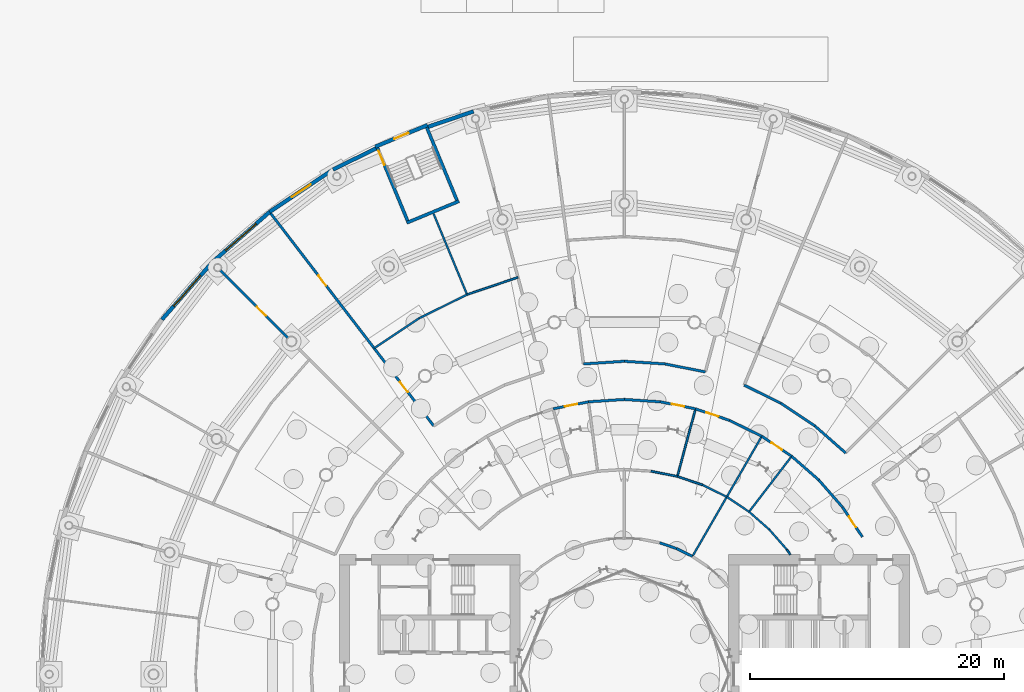
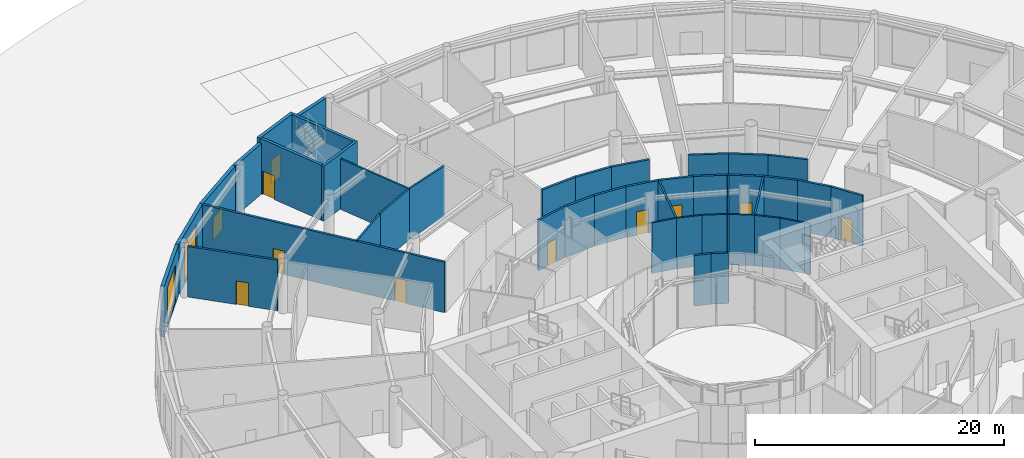
# One storey, part 25 of 41: 43 walls, 11 doors, 2 windows, 13 openings.
"""IFC4 building model written with IfcOpenShell, lengths in metres."""

from ifc_helpers import new_model, si_unit, direction, frame, frame_2d, origin, place, context, subcontext, project, spatial, rectangle, extrude, material, layer, layer_set, type_object, element, fill, save


model = new_model("IFC4")

# Units and contexts
model_context = context("Model", 3, precision=1e-05, world=origin(), true_north=direction((0.0, 1.0)))
body_context = subcontext(model_context, "Body", "Model", "MODEL_VIEW")
ifc_project = project(units=[si_unit("LENGTHUNIT", "METRE"), si_unit("AREAUNIT", "SQUARE_METRE"), si_unit("VOLUMEUNIT", "CUBIC_METRE"), si_unit("PLANEANGLEUNIT", "RADIAN"), si_unit("MASSUNIT", "GRAM", prefix="KILO")], contexts=[model_context])

# Site, building, storey
site_placement = place(None, origin())
site = spatial("IfcSite", under=ifc_project, at=site_placement, CompositionType="ELEMENT")
building_placement = place(site_placement, origin())
building = spatial("IfcBuilding", under=site, at=building_placement, Name="Maasbend Ring Residences", CompositionType="ELEMENT")
storey_placement = place(building_placement, origin())
storey = spatial("IfcBuildingStorey", under=building, at=storey_placement, Name="L00", CompositionType="ELEMENT", Elevation=0.0)

# Wall, opening, door
ifc_material_1 = material(Name="Concrete C70/85", Category="concrete")
ifc_layer_1 = layer(ifc_material_1, 0.25)
ifc_layer_set_1 = layer_set([ifc_layer_1], Name="Concrete C70/85")
wall_type_1 = type_object("IfcWallType", Name="CORE WALL 250 C70/85", PredefinedType="SHEAR", material=ifc_layer_set_1)
wall_1_placement = place(storey_placement, frame((-19.40966796875, 41.37158203125, 0.0), z_axis=(0.0, 0.0, 1.0), x_axis=(0.382666023753, -0.923886743203, 0.0)))
wall_1 = element("IfcWall", 1, at=wall_1_placement, inside=storey, type_object=wall_type_1, Name="L00 ST-P1 enclosure wall WS+", PredefinedType="SHEAR", context=body_context, shape_type="SweptSolid", body=[
    extrude(rectangle(XDim=6.4501953125, YDim=0.25, at=frame_2d((3.22509765625, 0.0))), origin(), (0.0, 0.0, 1.0), 5.39990234375),
])
opening_1_placement = place(wall_1_placement, frame((0.25, 0.0, 0.0)))
opening_1 = element("IfcOpeningElement", 2, at=opening_1_placement, cuts=wall_1, Name="Opening D-P100S", PredefinedType="OPENING", context=body_context, shape_type="SweptSolid", body=[
    extrude(rectangle(XDim=1.199951171875, YDim=2.300048828125, at=frame_2d((0.60009765625, 1.14990234375))), frame((0.0, 0.135009765625, 0.0), z_axis=(0.0, -1.0, 0.0), x_axis=(1.0, 0.0, 0.0)), (0.0, 0.0, 1.0), 0.27001953125),
])
ifc_material_2 = material(Name="Steel, powder coated", Category="steel")
door_type_1 = type_object("IfcDoorType", Name="STAIR DOOR 1200 X 2300 FD60", OperationType="NOTDEFINED", PredefinedType="DOOR", material=ifc_material_2)
door_1_placement = place(opening_1_placement, origin())
door_1 = element("IfcDoor", 3, at=door_1_placement, inside=storey, type_object=door_type_1, Name="Stair door ST-P1 L00", OperationType="SINGLE_SWING_RIGHT", OverallHeight=2.300048828125, OverallWidth=1.199951171875, PredefinedType="DOOR", context=body_context, shape_type="SweptSolid", body=[
    extrude(rectangle(XDim=1.199951171875, YDim=2.300048828125, at=frame_2d((0.60009765625, 1.14990234375))), frame((0.0, 0.02490234375, 0.0), z_axis=(0.0, -1.0, 0.0), x_axis=(1.0, 0.0, 0.0)), (0.0, 0.0, 1.0), 0.050048828125),
])
fill(opening_1, door_1)

# Walls
wall_2_placement = place(storey_placement, frame((-13.06103515625, 37.019775390625, 0.0), z_axis=(0.0, 0.0, 1.0), x_axis=(-0.38267940576, 0.923881200375, 0.0)))
element("IfcWall", 4, at=wall_2_placement, inside=storey, type_object=wall_type_1, Name="L00 ST-P1 enclosure wall WS-", PredefinedType="SHEAR", context=body_context, shape_type="SweptSolid", body=[
    extrude(rectangle(XDim=6.449951171875, YDim=0.25, at=frame_2d((3.22509765625, 0.0))), origin(), (0.0, 0.0, 1.0), 5.39990234375),
])
wall_3_placement = place(storey_placement, frame((-12.993408203125, 37.18310546875, 0.0), z_axis=(0.0, 0.0, 1.0), x_axis=(-0.923867048273, -0.382713570591, 0.0)))
element("IfcWall", 5, at=wall_3_placement, inside=storey, type_object=wall_type_1, Name="L00 ST-P1 enclosure wall WIN", PredefinedType="SHEAR", context=body_context, shape_type="SweptSolid", body=[
    extrude(rectangle(XDim=4.4501953125, YDim=0.25, at=frame_2d((2.22509765625, 0.0))), origin(), (0.0, 0.0, 1.0), 5.39990234375),
])

# Wall, opening, door
ifc_material_3 = material(Name="Concrete C70/85", Category="concrete")
ifc_layer_2 = layer(ifc_material_3, 0.300048828125)
ifc_layer_set_2 = layer_set([ifc_layer_2], Name="Concrete C70/85")
wall_type_2 = type_object("IfcWallType", Name="CORE WALL 300 C70/85", PredefinedType="SHEAR", material=ifc_layer_set_2)
wall_4_placement = place(storey_placement, frame((-19.58251953125, 41.462158203125, 0.0), z_axis=(0.0, 0.0, 1.0), x_axis=(0.923886445216, 0.382666743194, 0.0)))
wall_4 = element("IfcWall", 6, at=wall_4_placement, inside=storey, type_object=wall_type_2, Name="L00 ST-P1 enclosure wall WOUT", PredefinedType="SHEAR", context=body_context, shape_type="SweptSolid", body=[
    extrude(rectangle(XDim=4.449951171875, YDim=0.300048828125, at=frame_2d((2.22509765625, 0.0))), origin(), (0.0, 0.0, 1.0), 5.39990234375),
])
opening_2_placement = place(wall_4_placement, frame((1.625, 0.0, 0.0)))
opening_2 = element("IfcOpeningElement", 7, at=opening_2_placement, cuts=wall_4, Name="Opening D-P100O", PredefinedType="OPENING", context=body_context, shape_type="SweptSolid", body=[
    extrude(rectangle(XDim=1.199951171875, YDim=2.300048828125, at=frame_2d((0.60009765625, 1.14990234375))), frame((0.0, 0.16015625, 0.0), z_axis=(0.0, -1.0, 0.0), x_axis=(1.0, 0.0, 0.0)), (0.0, 0.0, 1.0), 0.320068359375),
])
door_2_placement = place(opening_2_placement, origin())
door_2 = element("IfcDoor", 8, at=door_2_placement, inside=storey, type_object=door_type_1, Name="Stair door ST-P1 L00", OperationType="SINGLE_SWING_LEFT", OverallHeight=2.300048828125, OverallWidth=1.199951171875, PredefinedType="DOOR", context=body_context, shape_type="SweptSolid", body=[
    extrude(rectangle(XDim=1.199951171875, YDim=2.300048828125, at=frame_2d((0.60009765625, 1.14990234375))), frame((0.0, 0.02490234375, 0.0), z_axis=(0.0, -1.0, 0.0), x_axis=(1.0, 0.0, 0.0)), (0.0, 0.0, 1.0), 0.050048828125),
])
fill(opening_2, door_2)

ifc_material_4 = material(Name="Concrete C30/37", Category="concrete")
ifc_layer_3 = layer(ifc_material_4, 0.199951171875)
ifc_layer_set_3 = layer_set([ifc_layer_3], Name="Concrete C30/37")
wall_type_3 = type_object("IfcWallType", Name="CORRIDOR WALL 200 CONCRETE", PredefinedType="PARTITIONING", material=ifc_layer_set_3)
wall_5_placement = place(storey_placement, frame((-31.74609375, 31.74609375, 0.0), z_axis=(0.0, 0.0, 1.0), x_axis=(0.707106781187, -0.707106781187, 0.0)))
wall_5 = element("IfcWall", 9, at=wall_5_placement, inside=storey, type_object=wall_type_3, Name="U-L00-w090", PredefinedType="PARTITIONING", context=body_context, shape_type="SweptSolid", body=[
    extrude(rectangle(XDim=7.489990234375, YDim=0.199951171875, at=frame_2d((3.7451171875, 0.0))), origin(), (0.0, 0.0, 1.0), 4.949951171875),
])
opening_3_placement = place(wall_5_placement, frame((4.044921875, 0.0, 0.0)))
opening_3 = element("IfcOpeningElement", 10, at=opening_3_placement, cuts=wall_5, Name="Opening D-0030", PredefinedType="OPENING", context=body_context, shape_type="SweptSolid", body=[
    extrude(rectangle(XDim=1.0, YDim=2.300048828125, at=frame_2d((0.5, 1.14990234375))), frame((0.0, 0.10986328125, 0.0), z_axis=(0.0, -1.0, 0.0), x_axis=(1.0, 0.0, 0.0)), (0.0, 0.0, 1.0), 0.219970703125),
])
ifc_material_5 = material(Name="Timber, painted", Category="wood")
door_type_2 = type_object("IfcDoorType", Name="ROOM DOOR 1000 X 2300", OperationType="NOTDEFINED", PredefinedType="DOOR", material=ifc_material_5)
door_3_placement = place(opening_3_placement, origin())
door_3 = element("IfcDoor", 11, at=door_3_placement, inside=storey, type_object=door_type_2, Name="D-0030", OperationType="SINGLE_SWING_RIGHT", OverallHeight=2.300048828125, OverallWidth=1.0, PredefinedType="DOOR", context=body_context, shape_type="SweptSolid", body=[
    extrude(rectangle(XDim=1.0, YDim=2.300048828125, at=frame_2d((0.5, 1.14990234375))), frame((0.0, 0.02490234375, 0.0), z_axis=(0.0, -1.0, 0.0), x_axis=(1.0, 0.0, 0.0)), (0.0, 0.0, 1.0), 0.050048828125),
])
fill(opening_3, door_3)

# Wall, openings, doors
wall_6_placement = place(storey_placement, frame((-27.81298828125, 36.2470703125, 0.0), z_axis=(0.0, 0.0, 1.0), x_axis=(0.608725588574, -0.793380840338, 0.0)))
wall_6 = element("IfcWall", 12, at=wall_6_placement, inside=storey, type_object=wall_type_3, Name="U-L00-w092", PredefinedType="PARTITIONING", context=body_context, shape_type="SweptSolid", body=[
    extrude(rectangle(XDim=21.088134765625, YDim=0.199951171875, at=frame_2d((10.5439453125, 0.0))), origin(), (0.0, 0.0, 1.0), 4.949951171875),
])
opening_4_placement = place(wall_6_placement, frame((16.738037109375, 0.0, 0.0)))
opening_4 = element("IfcOpeningElement", 13, at=opening_4_placement, cuts=wall_6, Name="Opening D-0026", PredefinedType="OPENING", context=body_context, shape_type="SweptSolid", body=[
    extrude(rectangle(XDim=1.0, YDim=2.300048828125, at=frame_2d((0.5, 1.14990234375))), frame((0.0, 0.10986328125, 0.0), z_axis=(0.0, -1.0, 0.0), x_axis=(1.0, 0.0, 0.0)), (0.0, 0.0, 1.0), 0.219970703125),
])
opening_5_placement = place(wall_6_placement, frame((6.194091796875, 0.0, 0.0)))
opening_5 = element("IfcOpeningElement", 14, at=opening_5_placement, cuts=wall_6, Name="Opening D-0028", PredefinedType="OPENING", context=body_context, shape_type="SweptSolid", body=[
    extrude(rectangle(XDim=1.0, YDim=2.300048828125, at=frame_2d((0.5, 1.14990234375))), frame((0.0, 0.10986328125, 0.0), z_axis=(0.0, -1.0, 0.0), x_axis=(1.0, 0.0, 0.0)), (0.0, 0.0, 1.0), 0.219970703125),
])
door_4_placement = place(opening_4_placement, origin())
door_4 = element("IfcDoor", 15, at=door_4_placement, inside=storey, type_object=door_type_2, Name="D-0026", OperationType="SINGLE_SWING_RIGHT", OverallHeight=2.300048828125, OverallWidth=1.0, PredefinedType="DOOR", context=body_context, shape_type="SweptSolid", body=[
    extrude(rectangle(XDim=1.0, YDim=2.300048828125, at=frame_2d((0.5, 1.14990234375))), frame((0.0, 0.02490234375, 0.0), z_axis=(0.0, -1.0, 0.0), x_axis=(1.0, 0.0, 0.0)), (0.0, 0.0, 1.0), 0.050048828125),
])
fill(opening_4, door_4)
door_5_placement = place(opening_5_placement, origin())
door_5 = element("IfcDoor", 16, at=door_5_placement, inside=storey, type_object=door_type_2, Name="D-0028", OperationType="SINGLE_SWING_LEFT", OverallHeight=2.300048828125, OverallWidth=1.0, PredefinedType="DOOR", context=body_context, shape_type="SweptSolid", body=[
    extrude(rectangle(XDim=1.0, YDim=2.300048828125, at=frame_2d((0.5, 1.14990234375))), frame((0.0, 0.02490234375, 0.0), z_axis=(0.0, -1.0, 0.0), x_axis=(1.0, 0.0, 0.0)), (0.0, 0.0, 1.0), 0.050048828125),
])
fill(opening_5, door_5)

# Walls
for number, where, z_axis, x_axis, name in (
    (17, (2.76904296875, 10.3349609375, 0.0), (0.0, 0.0, 1.0), (0.947172777338, -0.320723759441, 0.0), "U-L00-w143"),
    (18, (4.094970703125, 9.885986328125, 0.0), (0.0, 0.0, 1.0), (0.896613890545, -0.442813201341, 0.0), "U-L00-w144"),
):
    element("IfcWall", number, at=place(storey_placement, frame(where, z_axis=z_axis, x_axis=x_axis)), inside=storey, type_object=wall_type_3, Name=name, PredefinedType="PARTITIONING", context=body_context, shape_type="SweptSolid", body=[
        extrude(rectangle(XDim=1.39990234375, YDim=0.199951171875, at=frame_2d((0.699951171875, 0.0))), origin(), (0.0, 0.0, 1.0), 4.949951171875),
    ])

# Wall, opening, door
wall_7_placement = place(storey_placement, frame((-5.590087890625, 20.864013671875, 0.0), z_axis=(0.0, 0.0, 1.0), x_axis=(0.980796115138, 0.195035844217, 0.0)))
wall_7 = element("IfcWall", 19, at=wall_7_placement, inside=storey, type_object=wall_type_3, Name="U-L00-w168", PredefinedType="PARTITIONING", context=body_context, shape_type="SweptSolid", body=[
    extrude(rectangle(XDim=2.8251953125, YDim=0.199951171875, at=frame_2d((1.41259765625, 0.0))), origin(), (0.0, 0.0, 1.0), 4.949951171875),
])
opening_6_placement = place(wall_7_placement, frame((0.9130859375, 0.0, 0.0)))
opening_6 = element("IfcOpeningElement", 20, at=opening_6_placement, cuts=wall_7, Name="Opening D-0011", PredefinedType="OPENING", context=body_context, shape_type="SweptSolid", body=[
    extrude(rectangle(XDim=1.0, YDim=2.300048828125, at=frame_2d((0.5, 1.14990234375))), frame((0.0, 0.10986328125, 0.0), z_axis=(0.0, -1.0, 0.0), x_axis=(1.0, 0.0, 0.0)), (0.0, 0.0, 1.0), 0.219970703125),
])
door_6_placement = place(opening_6_placement, origin())
door_6 = element("IfcDoor", 21, at=door_6_placement, inside=storey, type_object=door_type_2, Name="D-0011", OperationType="SINGLE_SWING_RIGHT", OverallHeight=2.300048828125, OverallWidth=1.0, PredefinedType="DOOR", context=body_context, shape_type="SweptSolid", body=[
    extrude(rectangle(XDim=1.0, YDim=2.300048828125, at=frame_2d((0.5, 1.14990234375))), frame((0.0, 0.02490234375, 0.0), z_axis=(0.0, -1.0, 0.0), x_axis=(1.0, 0.0, 0.0)), (0.0, 0.0, 1.0), 0.050048828125),
])
fill(opening_6, door_6)

# Walls
for number, where, z_axis, x_axis, name in (
    (22, (-2.819091796875, 21.4150390625, 0.0), (0.0, 0.0, 1.0), (0.99785232164, 0.065503772391, 0.0), "U-L00-w169"),
    (23, (0.0, 21.60009765625, 0.0), (0.0, 0.0, 1.0), (0.99785232164, -0.065503772391, 0.0), "U-L00-w170"),
):
    element("IfcWall", number, at=place(storey_placement, frame(where, z_axis=z_axis, x_axis=x_axis)), inside=storey, type_object=wall_type_3, Name=name, PredefinedType="PARTITIONING", context=body_context, shape_type="SweptSolid", body=[
        extrude(rectangle(XDim=2.8251953125, YDim=0.199951171875, at=frame_2d((1.41259765625, 0.0))), origin(), (0.0, 0.0, 1.0), 4.949951171875),
    ])

# Wall, opening, door
wall_8_placement = place(storey_placement, frame((2.819091796875, 21.4150390625, 0.0), z_axis=(0.0, 0.0, 1.0), x_axis=(0.980796115138, -0.195035844217, 0.0)))
wall_8 = element("IfcWall", 24, at=wall_8_placement, inside=storey, type_object=wall_type_3, Name="U-L00-w171", PredefinedType="PARTITIONING", context=body_context, shape_type="SweptSolid", body=[
    extrude(rectangle(XDim=2.8251953125, YDim=0.199951171875, at=frame_2d((1.41259765625, 0.0))), origin(), (0.0, 0.0, 1.0), 4.949951171875),
])
opening_7_placement = place(wall_8_placement, frame((0.9130859375, 0.0, 0.0)))
opening_7 = element("IfcOpeningElement", 25, at=opening_7_placement, cuts=wall_8, Name="Opening D-0010", PredefinedType="OPENING", context=body_context, shape_type="SweptSolid", body=[
    extrude(rectangle(XDim=1.0, YDim=2.300048828125, at=frame_2d((0.5, 1.14990234375))), frame((0.0, 0.10986328125, 0.0), z_axis=(0.0, -1.0, 0.0), x_axis=(1.0, 0.0, 0.0)), (0.0, 0.0, 1.0), 0.219970703125),
])
door_7_placement = place(opening_7_placement, origin())
door_7 = element("IfcDoor", 26, at=door_7_placement, inside=storey, type_object=door_type_2, Name="D-0010", OperationType="SINGLE_SWING_LEFT", OverallHeight=2.300048828125, OverallWidth=1.0, PredefinedType="DOOR", context=body_context, shape_type="SweptSolid", body=[
    extrude(rectangle(XDim=1.0, YDim=2.300048828125, at=frame_2d((0.5, 1.14990234375))), frame((0.0, 0.02490234375, 0.0), z_axis=(0.0, -1.0, 0.0), x_axis=(1.0, 0.0, 0.0)), (0.0, 0.0, 1.0), 0.050048828125),
])
fill(opening_7, door_7)

wall_9_placement = place(storey_placement, frame((5.590087890625, 20.864013671875, 0.0), z_axis=(0.0, 0.0, 1.0), x_axis=(0.946976353269, -0.321303262276, 0.0)))
wall_9 = element("IfcWall", 27, at=wall_9_placement, inside=storey, type_object=wall_type_3, Name="U-L00-w172", PredefinedType="PARTITIONING", context=body_context, shape_type="SweptSolid", body=[
    extrude(rectangle(XDim=2.825927734375, YDim=0.199951171875, at=frame_2d((1.4130859375, 0.0))), origin(), (0.0, 0.0, 1.0), 4.949951171875),
])
opening_8_placement = place(wall_9_placement, frame((0.9130859375, 0.0, 0.0)))
opening_8 = element("IfcOpeningElement", 28, at=opening_8_placement, cuts=wall_9, Name="Opening D-0009", PredefinedType="OPENING", context=body_context, shape_type="SweptSolid", body=[
    extrude(rectangle(XDim=1.0, YDim=2.300048828125, at=frame_2d((0.5, 1.14990234375))), frame((0.0, 0.10986328125, 0.0), z_axis=(0.0, -1.0, 0.0), x_axis=(1.0, 0.0, 0.0)), (0.0, 0.0, 1.0), 0.219970703125),
])
door_8_placement = place(opening_8_placement, origin())
door_8 = element("IfcDoor", 29, at=door_8_placement, inside=storey, type_object=door_type_2, Name="D-0009", OperationType="SINGLE_SWING_LEFT", OverallHeight=2.300048828125, OverallWidth=1.0, PredefinedType="DOOR", context=body_context, shape_type="SweptSolid", body=[
    extrude(rectangle(XDim=1.0, YDim=2.300048828125, at=frame_2d((0.5, 1.14990234375))), frame((0.0, 0.02490234375, 0.0), z_axis=(0.0, -1.0, 0.0), x_axis=(1.0, 0.0, 0.0)), (0.0, 0.0, 1.0), 0.050048828125),
])
fill(opening_8, door_8)

# Wall
wall_10_placement = place(storey_placement, frame((8.26611328125, 19.9560546875, 0.0), z_axis=(0.0, 0.0, 1.0), x_axis=(0.896816398134, -0.442402924988, 0.0)))
element("IfcWall", 30, at=wall_10_placement, inside=storey, type_object=wall_type_3, Name="U-L00-w173", PredefinedType="PARTITIONING", context=body_context, shape_type="SweptSolid", body=[
    extrude(rectangle(XDim=2.825439453125, YDim=0.199951171875, at=frame_2d((1.41259765625, 0.0))), origin(), (0.0, 0.0, 1.0), 4.949951171875),
])

# Wall, opening, door
wall_11_placement = place(storey_placement, frame((10.800048828125, 18.7060546875, 0.0), z_axis=(0.0, 0.0, 1.0), x_axis=(0.831371669473, -0.55571678686, 0.0)))
wall_11 = element("IfcWall", 31, at=wall_11_placement, inside=storey, type_object=wall_type_3, Name="U-L00-w174", PredefinedType="PARTITIONING", context=body_context, shape_type="SweptSolid", body=[
    extrude(rectangle(XDim=2.8251953125, YDim=0.199951171875, at=frame_2d((1.41259765625, 0.0))), origin(), (0.0, 0.0, 1.0), 4.949951171875),
])
opening_9_placement = place(wall_11_placement, frame((0.9130859375, 0.0, 0.0)))
opening_9 = element("IfcOpeningElement", 32, at=opening_9_placement, cuts=wall_11, Name="Opening D-0008", PredefinedType="OPENING", context=body_context, shape_type="SweptSolid", body=[
    extrude(rectangle(XDim=1.0, YDim=2.300048828125, at=frame_2d((0.5, 1.14990234375))), frame((0.0, 0.10986328125, 0.0), z_axis=(0.0, -1.0, 0.0), x_axis=(1.0, 0.0, 0.0)), (0.0, 0.0, 1.0), 0.219970703125),
])
door_9_placement = place(opening_9_placement, origin())
door_9 = element("IfcDoor", 33, at=door_9_placement, inside=storey, type_object=door_type_2, Name="D-0008", OperationType="SINGLE_SWING_LEFT", OverallHeight=2.300048828125, OverallWidth=1.0, PredefinedType="DOOR", context=body_context, shape_type="SweptSolid", body=[
    extrude(rectangle(XDim=1.0, YDim=2.300048828125, at=frame_2d((0.5, 1.14990234375))), frame((0.0, 0.02490234375, 0.0), z_axis=(0.0, -1.0, 0.0), x_axis=(1.0, 0.0, 0.0)), (0.0, 0.0, 1.0), 0.050048828125),
])
fill(opening_9, door_9)

# Walls
for number, where, z_axis, x_axis, name in (
    (34, (13.14892578125, 17.135986328125, 0.0), (0.0, 0.0, 1.0), (0.752105457459, -0.659042776199, 0.0), "U-L00-w175"),
    (35, (15.27392578125, 15.27392578125, 0.0), (0.0, 0.0, 1.0), (0.659042776199, -0.752105457459, 0.0), "U-L00-w176"),
):
    element("IfcWall", number, at=place(storey_placement, frame(where, z_axis=z_axis, x_axis=x_axis)), inside=storey, type_object=wall_type_3, Name=name, PredefinedType="PARTITIONING", context=body_context, shape_type="SweptSolid", body=[
        extrude(rectangle(XDim=2.825439453125, YDim=0.199951171875, at=frame_2d((1.41259765625, 0.0))), origin(), (0.0, 0.0, 1.0), 4.949951171875),
    ])

# Wall, opening, door
wall_12_placement = place(storey_placement, frame((17.135986328125, 13.14892578125, 0.0), z_axis=(0.0, 0.0, 1.0), x_axis=(0.55571678686, -0.831371669473, 0.0)))
wall_12 = element("IfcWall", 36, at=wall_12_placement, inside=storey, type_object=wall_type_3, Name="U-L00-w177", PredefinedType="PARTITIONING", context=body_context, shape_type="SweptSolid", body=[
    extrude(rectangle(XDim=2.8251953125, YDim=0.199951171875, at=frame_2d((1.41259765625, 0.0))), origin(), (0.0, 0.0, 1.0), 4.949951171875),
])
opening_10_placement = place(wall_12_placement, frame((0.9130859375, 0.0, 0.0)))
opening_10 = element("IfcOpeningElement", 37, at=opening_10_placement, cuts=wall_12, Name="Opening D-0007", PredefinedType="OPENING", context=body_context, shape_type="SweptSolid", body=[
    extrude(rectangle(XDim=1.0, YDim=2.300048828125, at=frame_2d((0.5, 1.14990234375))), frame((0.0, 0.10986328125, 0.0), z_axis=(0.0, -1.0, 0.0), x_axis=(1.0, 0.0, 0.0)), (0.0, 0.0, 1.0), 0.219970703125),
])
door_10_placement = place(opening_10_placement, origin())
door_10 = element("IfcDoor", 38, at=door_10_placement, inside=storey, type_object=door_type_2, Name="D-0007", OperationType="SINGLE_SWING_LEFT", OverallHeight=2.300048828125, OverallWidth=1.0, PredefinedType="DOOR", context=body_context, shape_type="SweptSolid", body=[
    extrude(rectangle(XDim=1.0, YDim=2.300048828125, at=frame_2d((0.5, 1.14990234375))), frame((0.0, 0.02490234375, 0.0), z_axis=(0.0, -1.0, 0.0), x_axis=(1.0, 0.0, 0.0)), (0.0, 0.0, 1.0), 0.050048828125),
])
fill(opening_10, door_10)

# Walls
for number, where, z_axis, x_axis, name in (
    (39, (-3.2109375, 24.389892578125, 0.0), (0.0, 0.0, 1.0), (0.997864008616, 0.06532549509, 0.0), "U-L00-w186"),
    (40, (0.0, 24.60009765625, 0.0), (0.0, 0.0, 1.0), (0.997864008616, -0.06532549509, 0.0), "U-L00-w187"),
    (41, (3.2109375, 24.389892578125, 0.0), (0.0, 0.0, 1.0), (0.98077570041, -0.195138477717, 0.0), "U-L00-w188"),
    (42, (9.4140625, 22.72705078125, 0.0), (0.0, 0.0, 1.0), (0.896886949195, -0.442259878763, 0.0), "U-L00-w189"),
):
    element("IfcWall", number, at=place(storey_placement, frame(where, z_axis=z_axis, x_axis=x_axis)), inside=storey, type_object=wall_type_3, Name=name, PredefinedType="PARTITIONING", context=body_context, shape_type="SweptSolid", body=[
        extrude(rectangle(XDim=3.2177734375, YDim=0.199951171875, at=frame_2d((1.60888671875, 0.0))), origin(), (0.0, 0.0, 1.0), 4.949951171875),
    ])
wall_13_placement = place(storey_placement, frame((12.300048828125, 21.303955078125, 0.0), z_axis=(0.0, 0.0, 1.0), x_axis=(0.831501361433, -0.555522714148, 0.0)))
element("IfcWall", 43, at=wall_13_placement, inside=storey, type_object=wall_type_3, Name="U-L00-w190", PredefinedType="PARTITIONING", context=body_context, shape_type="SweptSolid", body=[
    extrude(rectangle(XDim=3.21826171875, YDim=0.199951171875, at=frame_2d((1.609130859375, 0.0))), origin(), (0.0, 0.0, 1.0), 4.949951171875),
])
wall_14_placement = place(storey_placement, frame((14.97607421875, 19.51611328125, 0.0), z_axis=(0.0, 0.0, 1.0), x_axis=(0.751880539175, -0.659299366608, 0.0)))
element("IfcWall", 44, at=wall_14_placement, inside=storey, type_object=wall_type_3, Name="U-L00-w191", PredefinedType="PARTITIONING", context=body_context, shape_type="SweptSolid", body=[
    extrude(rectangle(XDim=3.21728515625, YDim=0.199951171875, at=frame_2d((1.608642578125, 0.0))), origin(), (0.0, 0.0, 1.0), 4.949951171875),
])
ifc_material_6 = material(Name="Pale anodised aluminium panel", Category="aluminium")
ifc_layer_4 = layer(ifc_material_6, 0.300048828125)
ifc_layer_set_4 = layer_set([ifc_layer_4], Name="EW-BASE")
wall_type_4 = type_object("IfcWallType", Name="EW-BASE", PredefinedType="SOLIDWALL", material=ifc_layer_set_4)
wall_15_placement = place(storey_placement, frame((-11.85400390625, 44.239013671875, 0.0), z_axis=(0.0, 0.0, 1.0), x_axis=(-0.946915897629, -0.321481387979, 0.0)))
element("IfcWall", 45, at=wall_15_placement, inside=storey, type_object=wall_type_4, Name="Base block wall 15a", PredefinedType="SOLIDWALL", context=body_context, shape_type="SweptSolid", body=[
    extrude(rectangle(XDim=3.7607421875, YDim=0.300048828125, at=frame_2d((1.88037109375, 0.0))), origin(), (0.0, 0.0, 1.0), 4.949951171875),
])
wall_16_placement = place(storey_placement, frame((-19.527099609375, 41.326904296875, 0.0), z_axis=(0.0, 0.0, 1.0), x_axis=(-0.896919197762, -0.44219447383, 0.0)))
element("IfcWall", 46, at=wall_16_placement, inside=storey, type_object=wall_type_4, Name="Base block wall 16a", PredefinedType="SOLIDWALL", context=body_context, shape_type="SweptSolid", body=[
    extrude(rectangle(XDim=3.760498046875, YDim=0.300048828125, at=frame_2d((1.88037109375, 0.0))), origin(), (0.0, 0.0, 1.0), 4.949951171875),
])

# Wall, opening, door
wall_17_placement = place(storey_placement, frame((-22.89990234375, 39.6640625, 0.0), z_axis=(0.0, 0.0, 1.0), x_axis=(-0.831485590074, -0.55554631985, 0.0)))
wall_17 = element("IfcWall", 47, at=wall_17_placement, inside=storey, type_object=wall_type_4, Name="Base block wall 17", PredefinedType="SOLIDWALL", context=body_context, shape_type="SweptSolid", body=[
    extrude(rectangle(XDim=5.99072265625, YDim=0.300048828125, at=frame_2d((2.995361328125, 0.0))), origin(), (0.0, 0.0, 1.0), 4.949951171875),
])
opening_11_placement = place(wall_17_placement, frame((2.095458984375, 0.0, 0.0)))
opening_11 = element("IfcOpeningElement", 48, at=opening_11_placement, cuts=wall_17, Name="Opening D-EX", PredefinedType="OPENING", context=body_context, shape_type="SweptSolid", body=[
    extrude(rectangle(XDim=1.800048828125, YDim=2.199951171875, at=frame_2d((0.89990234375, 1.10009765625))), frame((0.0, 0.16015625, 0.0), z_axis=(0.0, -1.0, 0.0), x_axis=(1.0, 0.0, 0.0)), (0.0, 0.0, 1.0), 0.320068359375),
])
ifc_material_7 = material(Name="Aluminium and clear glass", Category="aluminium")
door_type_3 = type_object("IfcDoorType", Name="D-EX", OperationType="DOUBLE_DOOR_SINGLE_SWING", PredefinedType="DOOR", material=ifc_material_7)
door_11_placement = place(opening_11_placement, origin())
door_11 = element("IfcDoor", 49, at=door_11_placement, inside=storey, type_object=door_type_3, Name="Exit door 17", OperationType="SINGLE_SWING_LEFT", OverallHeight=2.199951171875, OverallWidth=1.800048828125, PredefinedType="DOOR", context=body_context, shape_type="SweptSolid", body=[
    extrude(rectangle(XDim=1.800048828125, YDim=2.199951171875, at=frame_2d((0.89990234375, 1.10009765625))), frame((0.0, 0.02490234375, 0.0), z_axis=(0.0, -1.0, 0.0), x_axis=(1.0, 0.0, 0.0)), (0.0, 0.0, 1.0), 0.050048828125),
])
fill(opening_11, door_11)

# Wall, opening, window
wall_18_placement = place(storey_placement, frame((-27.881103515625, 36.3359375, 0.0), z_axis=(0.0, 0.0, 1.0), x_axis=(-0.751748126189, -0.659450342916, 0.0)))
wall_18 = element("IfcWall", 50, at=wall_18_placement, inside=storey, type_object=wall_type_4, Name="Base block wall 18", PredefinedType="SOLIDWALL", context=body_context, shape_type="SweptSolid", body=[
    extrude(rectangle(XDim=5.9912109375, YDim=0.300048828125, at=frame_2d((2.99560546875, 0.0))), origin(), (0.0, 0.0, 1.0), 4.949951171875),
])
opening_12_placement = place(wall_18_placement, frame((1.3955078125, 0.0, 0.300048828125)))
opening_12 = element("IfcOpeningElement", 51, at=opening_12_placement, cuts=wall_18, Name="Opening W-SF", PredefinedType="OPENING", context=body_context, shape_type="SweptSolid", body=[
    extrude(rectangle(XDim=3.199951171875, YDim=3.60009765625, at=frame_2d((1.60009765625, 1.800048828125))), frame((0.0, 0.16015625, 0.0), z_axis=(0.0, -1.0, 0.0), x_axis=(1.0, 0.0, 0.0)), (0.0, 0.0, 1.0), 0.320068359375),
])
ifc_material_8 = material(Name="Aluminium and clear glass", Category="aluminium")
window_type = type_object("IfcWindowType", Name="W-SF", PartitioningType="SINGLE_PANEL", PredefinedType="WINDOW", material=ifc_material_8)
window_1_placement = place(opening_12_placement, origin())
window_1 = element("IfcWindow", 52, at=window_1_placement, inside=storey, type_object=window_type, Name="Shopfront 18", OverallHeight=3.60009765625, OverallWidth=3.199951171875, PartitioningType="SINGLE_PANEL", PredefinedType="WINDOW", context=body_context, shape_type="SweptSolid", body=[
    extrude(rectangle(XDim=3.199951171875, YDim=3.60009765625, at=frame_2d((1.60009765625, 1.800048828125))), frame((0.0, 0.030029296875, 0.0), z_axis=(0.0, -1.0, 0.0), x_axis=(1.0, 0.0, 0.0)), (0.0, 0.0, 1.0), 0.06005859375),
])
fill(opening_12, window_1)

wall_19_placement = place(storey_placement, frame((-32.385009765625, 32.385009765625, 0.0), z_axis=(0.0, 0.0, 1.0), x_axis=(-0.659450342916, -0.751748126189, 0.0)))
wall_19 = element("IfcWall", 53, at=wall_19_placement, inside=storey, type_object=wall_type_4, Name="Base block wall 19", PredefinedType="SOLIDWALL", context=body_context, shape_type="SweptSolid", body=[
    extrude(rectangle(XDim=5.9912109375, YDim=0.300048828125, at=frame_2d((2.99560546875, 0.0))), origin(), (0.0, 0.0, 1.0), 4.949951171875),
])
opening_13_placement = place(wall_19_placement, frame((1.3955078125, 0.0, 0.300048828125)))
opening_13 = element("IfcOpeningElement", 54, at=opening_13_placement, cuts=wall_19, Name="Opening W-SF", PredefinedType="OPENING", context=body_context, shape_type="SweptSolid", body=[
    extrude(rectangle(XDim=3.199951171875, YDim=3.60009765625, at=frame_2d((1.60009765625, 1.800048828125))), frame((0.0, 0.16015625, 0.0), z_axis=(0.0, -1.0, 0.0), x_axis=(1.0, 0.0, 0.0)), (0.0, 0.0, 1.0), 0.320068359375),
])
window_2_placement = place(opening_13_placement, origin())
window_2 = element("IfcWindow", 55, at=window_2_placement, inside=storey, type_object=window_type, Name="Shopfront 19", OverallHeight=3.60009765625, OverallWidth=3.199951171875, PartitioningType="SINGLE_PANEL", PredefinedType="WINDOW", context=body_context, shape_type="SweptSolid", body=[
    extrude(rectangle(XDim=3.199951171875, YDim=3.60009765625, at=frame_2d((1.60009765625, 1.800048828125))), frame((0.0, 0.030029296875, 0.0), z_axis=(0.0, -1.0, 0.0), x_axis=(1.0, 0.0, 0.0)), (0.0, 0.0, 1.0), 0.06005859375),
])
fill(opening_13, window_2)

# Walls
ifc_material_9 = material(Name="Gypsum board on steel studs", Category="steel")
ifc_layer_5 = layer(ifc_material_9, 0.14990234375)
ifc_layer_set_5 = layer_set([ifc_layer_5], Name="PARTITION 150 GYPSUM")
wall_type_5 = type_object("IfcWallType", Name="PARTITION 150 GYPSUM", PredefinedType="PARTITIONING", material=ifc_layer_set_5)
wall_20_placement = place(storey_placement, frame((-14.993896484375, 36.197998046875, 0.0), z_axis=(0.0, 0.0, 1.0), x_axis=(0.382644279815, -0.923895749057, 0.0)))
element("IfcWall", 56, at=wall_20_placement, inside=storey, type_object=wall_type_5, Name="U-L00-w097", PredefinedType="PARTITIONING", context=body_context, shape_type="SweptSolid", body=[
    extrude(rectangle(XDim=6.880615234375, YDim=0.14990234375, at=frame_2d((3.4404296875, 0.0))), origin(), (0.0, 0.0, 1.0), 4.949951171875),
])
wall_21_placement = place(storey_placement, frame((4.1669921875, 15.551025390625, 0.0), z_axis=(0.0, 0.0, 1.0), x_axis=(0.258897298886, 0.965904854853, 0.0)))
element("IfcWall", 57, at=wall_21_placement, inside=storey, type_object=wall_type_5, Name="U-L00-w112", PredefinedType="PARTITIONING", context=body_context, shape_type="SweptSolid", body=[
    extrude(rectangle(XDim=5.50048828125, YDim=0.14990234375, at=frame_2d((2.750244140625, 0.0))), origin(), (0.0, 0.0, 1.0), 4.949951171875),
])
wall_22_placement = place(storey_placement, frame((5.35009765625, 9.26611328125, 0.0), z_axis=(0.0, 0.0, 1.0), x_axis=(0.499986132754, 0.866033409894, 0.0)))
element("IfcWall", 58, at=wall_22_placement, inside=storey, type_object=wall_type_5, Name="U-L00-w113", PredefinedType="PARTITIONING", context=body_context, shape_type="SweptSolid", body=[
    extrude(rectangle(XDim=10.900146484375, YDim=0.14990234375, at=frame_2d((5.4501953125, 0.0))), origin(), (0.0, 0.0, 1.0), 4.949951171875),
])
wall_23_placement = place(storey_placement, frame((9.801025390625, 12.77294921875, 0.0), z_axis=(0.0, 0.0, 1.0), x_axis=(0.608764206331, 0.793351209169, 0.0)))
element("IfcWall", 59, at=wall_23_placement, inside=storey, type_object=wall_type_5, Name="U-L00-w120", PredefinedType="PARTITIONING", context=body_context, shape_type="SweptSolid", body=[
    extrude(rectangle(XDim=5.49951171875, YDim=0.14990234375, at=frame_2d((2.749755859375, 0.0))), origin(), (0.0, 0.0, 1.0), 4.949951171875),
])
wall_24_placement = place(storey_placement, frame((2.10107421875, 15.9619140625, 0.0), z_axis=(0.0, 0.0, 1.0), x_axis=(0.980789636989, -0.195068418702, 0.0)))
element("IfcWall", 60, at=wall_24_placement, inside=storey, type_object=wall_type_5, Name="U-L00-w155", PredefinedType="PARTITIONING", context=body_context, shape_type="SweptSolid", body=[
    extrude(rectangle(XDim=2.1064453125, YDim=0.14990234375, at=frame_2d((1.05322265625, 0.0))), origin(), (0.0, 0.0, 1.0), 4.949951171875),
])
wall_25_placement = place(storey_placement, frame((4.1669921875, 15.551025390625, 0.0), z_axis=(0.0, 0.0, 1.0), x_axis=(0.94690623261, -0.321509854662, 0.0)))
element("IfcWall", 61, at=wall_25_placement, inside=storey, type_object=wall_type_5, Name="U-L00-w156", PredefinedType="PARTITIONING", context=body_context, shape_type="SweptSolid", body=[
    extrude(rectangle(XDim=2.105712890625, YDim=0.14990234375, at=frame_2d((1.052734375, 0.0))), origin(), (0.0, 0.0, 1.0), 4.949951171875),
])
for number, where, z_axis, x_axis, name in (
    (62, (6.160888671875, 14.8740234375, 0.0), (0.0, 0.0, 1.0), (0.897008779175, -0.442012726156, 0.0), "U-L00-w157"),
    (63, (8.050048828125, 13.943115234375, 0.0), (0.0, 0.0, 1.0), (0.831425547365, -0.555636175198, 0.0), "U-L00-w158"),
    (64, (9.801025390625, 12.77294921875, 0.0), (0.0, 0.0, 1.0), (0.751685505492, -0.659521721275, 0.0), "U-L00-w159"),
    (65, (11.384033203125, 11.384033203125, 0.0), (0.0, 0.0, 1.0), (0.659521721275, -0.751685505492, 0.0), "U-L00-w160"),
):
    element("IfcWall", number, at=place(storey_placement, frame(where, z_axis=z_axis, x_axis=x_axis)), inside=storey, type_object=wall_type_5, Name=name, PredefinedType="PARTITIONING", context=body_context, shape_type="SweptSolid", body=[
        extrude(rectangle(XDim=2.10595703125, YDim=0.14990234375, at=frame_2d((1.052978515625, 0.0))), origin(), (0.0, 0.0, 1.0), 4.949951171875),
    ])
wall_26_placement = place(storey_placement, frame((12.77294921875, 9.801025390625, 0.0), z_axis=(0.0, 0.0, 1.0), x_axis=(0.555634077892, -0.831426948977, 0.0)))
element("IfcWall", 66, at=wall_26_placement, inside=storey, type_object=wall_type_5, Name="U-L00-w161", PredefinedType="PARTITIONING", context=body_context, shape_type="SweptSolid", body=[
    extrude(rectangle(XDim=0.482421875, YDim=0.14990234375, at=frame_2d((0.2412109375, 0.0))), origin(), (0.0, 0.0, 1.0), 4.949951171875),
])
wall_27_placement = place(storey_placement, frame((-19.6630859375, 25.625, 0.0), z_axis=(0.0, 0.0, 1.0), x_axis=(0.831418647409, 0.555646499801, 0.0)))
element("IfcWall", 67, at=wall_27_placement, inside=storey, type_object=wall_type_5, Name="U-L00-w198", PredefinedType="PARTITIONING", context=body_context, shape_type="SweptSolid", body=[
    extrude(rectangle(XDim=4.2255859375, YDim=0.14990234375, at=frame_2d((2.11279296875, 0.0))), origin(), (0.0, 0.0, 1.0), 4.949951171875),
])
wall_28_placement = place(storey_placement, frame((-16.14990234375, 27.972900390625, 0.0), z_axis=(0.0, 0.0, 1.0), x_axis=(0.896898505061, 0.442236443116, 0.0)))
element("IfcWall", 68, at=wall_28_placement, inside=storey, type_object=wall_type_5, Name="U-L00-w199", PredefinedType="PARTITIONING", context=body_context, shape_type="SweptSolid", body=[
    extrude(rectangle(XDim=4.224365234375, YDim=0.14990234375, at=frame_2d((2.1123046875, 0.0))), origin(), (0.0, 0.0, 1.0), 4.949951171875),
])
wall_29_placement = place(storey_placement, frame((-12.361083984375, 29.841064453125, 0.0), z_axis=(0.0, 0.0, 1.0), x_axis=(0.946947300987, 0.32138887528, 0.0)))
element("IfcWall", 69, at=wall_29_placement, inside=storey, type_object=wall_type_5, Name="U-L00-w200", PredefinedType="PARTITIONING", context=body_context, shape_type="SweptSolid", body=[
    extrude(rectangle(XDim=4.22509765625, YDim=0.14990234375, at=frame_2d((2.112548828125, 0.0))), origin(), (0.0, 0.0, 1.0), 4.949951171875),
])

save(model, "model.ifc")
